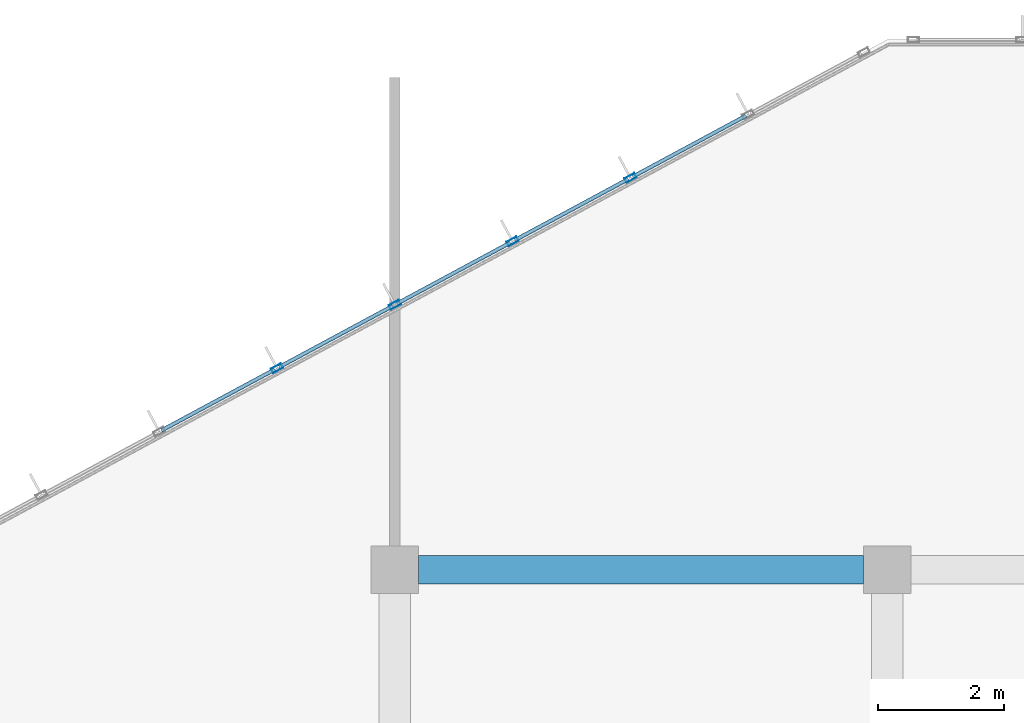
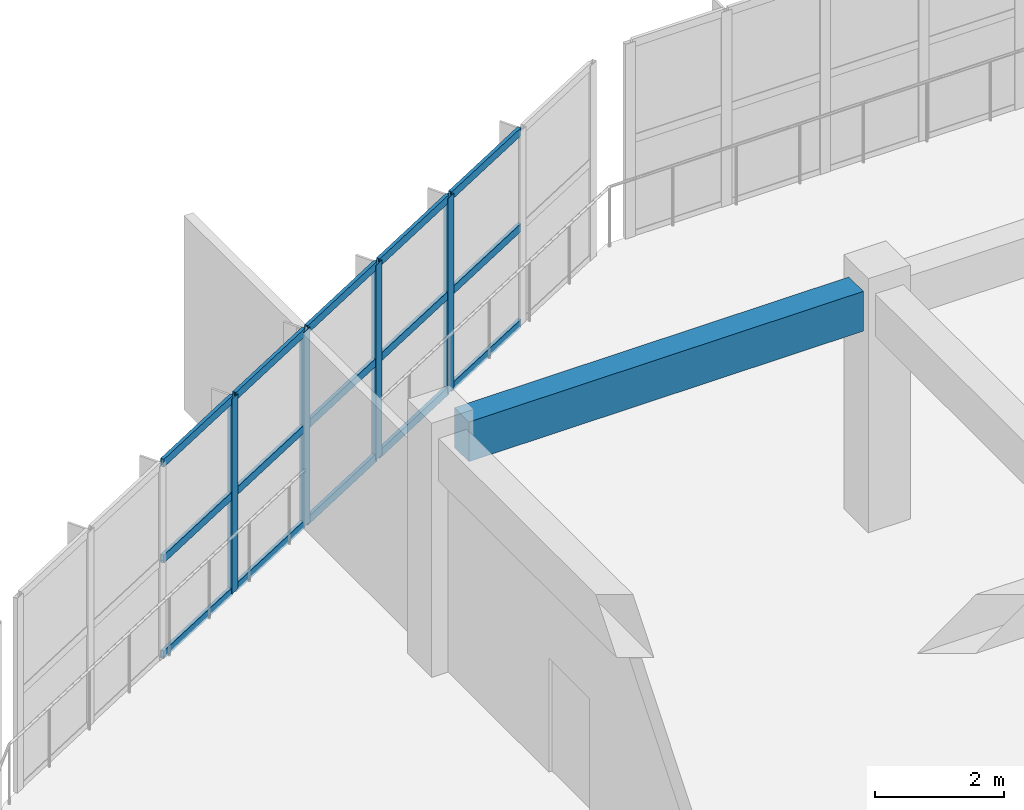
# One storey, part 59 of 175: 19 members, 1 beam, 1 element without a shape of its own.
"""IFC4 building model written with IfcOpenShell, lengths in metres."""

from ifc_helpers import new_model, si_unit, direction, frame, origin, origin_2d, place, context, subcontext, project, spatial, rectangle, hollow_rectangle, extrude, material, layer, layer_set, material_profile, profile_set, type_object, element, aggregate, save


model = new_model("IFC4")

# Units and contexts
model_context = context("Model", 3, precision=1e-05, world=origin(), true_north=direction((0.0, 1.0)))
body_context = subcontext(model_context, "Body", "Model", "MODEL_VIEW")
ifc_project = project(units=[si_unit("LENGTHUNIT", "METRE"), si_unit("AREAUNIT", "SQUARE_METRE"), si_unit("VOLUMEUNIT", "CUBIC_METRE"), si_unit("PLANEANGLEUNIT", "RADIAN"), si_unit("MASSUNIT", "GRAM", prefix="KILO")], contexts=[model_context])

# Site, building, storey
site_placement = place(None, origin())
site = spatial("IfcSite", under=ifc_project, at=site_placement, CompositionType="ELEMENT")
building_placement = place(site_placement, origin())
building = spatial("IfcBuilding", under=site, at=building_placement, Name="Zizhar Promenade General Hospital", CompositionType="ELEMENT")
storey_placement = place(building_placement, frame((0.0, 0.0, 4.800048828125)))
storey = spatial("IfcBuildingStorey", under=building, at=storey_placement, Name="L01", CompositionType="ELEMENT", Elevation=4.800048828125)

# Beam
ifc_material_1 = material(Name="Concrete C35/45", Category="concrete")
ifc_material_profile_1 = material_profile(ifc_material_1, rectangle(XDim=0.449951171875, YDim=0.75, at=origin_2d()))
ifc_profile_set_1 = profile_set([ifc_material_profile_1], Name="Concrete C35/45")
beam_type = type_object("IfcBeamType", Name="BM-RC-450x750", PredefinedType="BEAM", material=ifc_profile_set_1)
beam_placement = place(storey_placement, frame((23.77490234375, 75.60009765625, 4.094970703125), z_axis=(1.0, 0.0, 0.0), x_axis=(0.0, 1.0, 0.0)))
element("IfcBeam", 1, at=beam_placement, inside=storey, type_object=beam_type, Name="Grid Beam X L01 (3-9)", PredefinedType="BEAM", context=body_context, shape_type="SweptSolid", body=[
    extrude(rectangle(XDim=0.449951171875, YDim=0.75, at=origin_2d()), origin(), (0.0, 0.0, 1.0), 7.050048828125),
])

# Curtain wall, members
ifc_material_2 = material(Name="Anodised aluminium 6063-T6 and low-E glass", Category="aluminium")
ifc_layer = layer(ifc_material_2, 0.159912109375)
ifc_layer_set = layer_set([ifc_layer], Name="Anodised aluminium 6063-T6 and low-E glass")
curtain_wall_type = type_object("IfcCurtainWallType", Name="CW-DT-MOD2", PredefinedType="NOTDEFINED", material=ifc_layer_set)
curtain_wall_placement = place(storey_placement, origin())
curtain_wall = element("IfcCurtainWall", 2, at=curtain_wall_placement, inside=storey, type_object=curtain_wall_type, Name="West Diagnostic Arm Glazed Curtain Wall L01-NW3", PredefinedType="NOTDEFINED")
ifc_material_3 = material(Name="Anodised aluminium 6063-T6", Category="aluminium")
ifc_material_profile_2 = material_profile(ifc_material_3, hollow_rectangle(XDim=0.080078125, YDim=0.179931640625, WallThickness=0.0048828125, at=origin_2d()))
ifc_profile_set_2 = profile_set([ifc_material_profile_2], Name="Anodised aluminium 6063-T6")
member_type_1 = type_object("IfcMemberType", Name="CWM-ALU-180x80", PredefinedType="MULLION", material=ifc_profile_set_2)
member_1_placement = place(storey_placement, frame((21.53369140625, 78.795166015625, 0.0), z_axis=(0.0, 0.0, 1.0), x_axis=(-0.474097009774, 0.880472614749, 0.0)))
member_1 = element("IfcMember", 3, at=member_1_placement, type_object=member_type_1, Name="CW-08 mullion 4", PredefinedType="MULLION", context=body_context, shape_type="SweptSolid", body=[
    extrude(hollow_rectangle(XDim=0.080078125, YDim=0.179931640625, WallThickness=0.0048828125, at=origin_2d()), origin(), (0.0, 0.0, 1.0), 3.679931640625),
])
member_2_placement = place(storey_placement, frame((23.39990234375, 79.800048828125, 0.0), z_axis=(0.0, 0.0, 1.0), x_axis=(-0.474097009774, 0.880472614749, 0.0)))
member_2 = element("IfcMember", 4, at=member_2_placement, type_object=member_type_1, Name="CW-08 mullion 5", PredefinedType="MULLION", context=body_context, shape_type="SweptSolid", body=[
    extrude(hollow_rectangle(XDim=0.080078125, YDim=0.179931640625, WallThickness=0.0048828125, at=origin_2d()), origin(), (0.0, 0.0, 1.0), 3.679931640625),
])
member_3_placement = place(storey_placement, frame((25.266357421875, 80.804931640625, 0.0), z_axis=(0.0, 0.0, 1.0), x_axis=(-0.474097009774, 0.880472614749, 0.0)))
member_3 = element("IfcMember", 5, at=member_3_placement, type_object=member_type_1, Name="CW-08 mullion 6", PredefinedType="MULLION", context=body_context, shape_type="SweptSolid", body=[
    extrude(hollow_rectangle(XDim=0.080078125, YDim=0.179931640625, WallThickness=0.0048828125, at=origin_2d()), origin(), (0.0, 0.0, 1.0), 3.679931640625),
])
member_4_placement = place(storey_placement, frame((27.1328125, 81.809814453125, 0.0), z_axis=(0.0, 0.0, 1.0), x_axis=(-0.474097009774, 0.880472614749, 0.0)))
member_4 = element("IfcMember", 6, at=member_4_placement, type_object=member_type_1, Name="CW-08 mullion 7", PredefinedType="MULLION", context=body_context, shape_type="SweptSolid", body=[
    extrude(hollow_rectangle(XDim=0.080078125, YDim=0.179931640625, WallThickness=0.0048828125, at=origin_2d()), origin(), (0.0, 0.0, 1.0), 3.679931640625),
])
ifc_material_4 = material(Name="Anodised aluminium 6063-T6", Category="aluminium")
ifc_material_profile_3 = material_profile(ifc_material_4, hollow_rectangle(XDim=0.06005859375, YDim=0.14990234375, WallThickness=0.00390625, at=origin_2d()))
ifc_profile_set_3 = profile_set([ifc_material_profile_3], Name="Anodised aluminium 6063-T6")
member_type_2 = type_object("IfcMemberType", Name="CWT-ALU-150x60", PredefinedType="USERDEFINED", material=ifc_profile_set_3)
member_5_placement = place(storey_placement, frame((19.70263671875, 77.80908203125, 0.030029296875), z_axis=(0.880467256516, 0.47410696072, 0.0), x_axis=(-0.47410696072, 0.880467256516, 0.0)))
member_5 = element("IfcMember", 7, at=member_5_placement, type_object=member_type_2, Name="CW-08 transom 3.1", ObjectType="TRANSOM", PredefinedType="USERDEFINED", context=body_context, shape_type="SweptSolid", body=[
    extrude(hollow_rectangle(XDim=0.06005859375, YDim=0.14990234375, WallThickness=0.00390625, at=origin_2d()), origin(), (0.0, 0.0, 1.0), 2.039794921875),
])
member_6_placement = place(storey_placement, frame((19.70263671875, 77.80908203125, 1.83984375), z_axis=(0.880467256516, 0.47410696072, 0.0), x_axis=(-0.47410696072, 0.880467256516, 0.0)))
member_6 = element("IfcMember", 8, at=member_6_placement, type_object=member_type_2, Name="CW-08 transom 3.2", ObjectType="TRANSOM", PredefinedType="USERDEFINED", context=body_context, shape_type="SweptSolid", body=[
    extrude(hollow_rectangle(XDim=0.06005859375, YDim=0.14990234375, WallThickness=0.00390625, at=origin_2d()), origin(), (0.0, 0.0, 1.0), 2.039794921875),
])
member_7_placement = place(storey_placement, frame((19.70263671875, 77.80908203125, 3.64990234375), z_axis=(0.880467256516, 0.47410696072, 0.0), x_axis=(-0.47410696072, 0.880467256516, 0.0)))
member_7 = element("IfcMember", 9, at=member_7_placement, type_object=member_type_2, Name="CW-08 transom 3.3", ObjectType="TRANSOM", PredefinedType="USERDEFINED", context=body_context, shape_type="SweptSolid", body=[
    extrude(hollow_rectangle(XDim=0.06005859375, YDim=0.14990234375, WallThickness=0.00390625, at=origin_2d()), origin(), (0.0, 0.0, 1.0), 2.039794921875),
])
member_8_placement = place(storey_placement, frame((21.56884765625, 78.81396484375, 0.030029296875), z_axis=(0.880467256516, 0.47410696072, 0.0), x_axis=(-0.47410696072, 0.880467256516, 0.0)))
member_8 = element("IfcMember", 10, at=member_8_placement, type_object=member_type_2, Name="CW-08 transom 4.1", ObjectType="TRANSOM", PredefinedType="USERDEFINED", context=body_context, shape_type="SweptSolid", body=[
    extrude(hollow_rectangle(XDim=0.06005859375, YDim=0.14990234375, WallThickness=0.00390625, at=origin_2d()), origin(), (0.0, 0.0, 1.0), 2.039794921875),
])
member_9_placement = place(storey_placement, frame((21.56884765625, 78.81396484375, 1.83984375), z_axis=(0.880467256516, 0.47410696072, 0.0), x_axis=(-0.47410696072, 0.880467256516, 0.0)))
member_9 = element("IfcMember", 11, at=member_9_placement, type_object=member_type_2, Name="CW-08 transom 4.2", ObjectType="TRANSOM", PredefinedType="USERDEFINED", context=body_context, shape_type="SweptSolid", body=[
    extrude(hollow_rectangle(XDim=0.06005859375, YDim=0.14990234375, WallThickness=0.00390625, at=origin_2d()), origin(), (0.0, 0.0, 1.0), 2.039794921875),
])
member_10_placement = place(storey_placement, frame((21.56884765625, 78.81396484375, 3.64990234375), z_axis=(0.880467256516, 0.47410696072, 0.0), x_axis=(-0.47410696072, 0.880467256516, 0.0)))
member_10 = element("IfcMember", 12, at=member_10_placement, type_object=member_type_2, Name="CW-08 transom 4.3", ObjectType="TRANSOM", PredefinedType="USERDEFINED", context=body_context, shape_type="SweptSolid", body=[
    extrude(hollow_rectangle(XDim=0.06005859375, YDim=0.14990234375, WallThickness=0.00390625, at=origin_2d()), origin(), (0.0, 0.0, 1.0), 2.039794921875),
])
member_11_placement = place(storey_placement, frame((23.435302734375, 79.81884765625, 0.030029296875), z_axis=(0.880467256516, 0.47410696072, 0.0), x_axis=(-0.47410696072, 0.880467256516, 0.0)))
member_11 = element("IfcMember", 13, at=member_11_placement, type_object=member_type_2, Name="CW-08 transom 5.1", ObjectType="TRANSOM", PredefinedType="USERDEFINED", context=body_context, shape_type="SweptSolid", body=[
    extrude(hollow_rectangle(XDim=0.06005859375, YDim=0.14990234375, WallThickness=0.00390625, at=origin_2d()), origin(), (0.0, 0.0, 1.0), 2.039794921875),
])
member_12_placement = place(storey_placement, frame((23.435302734375, 79.81884765625, 1.83984375), z_axis=(0.880467256516, 0.47410696072, 0.0), x_axis=(-0.47410696072, 0.880467256516, 0.0)))
member_12 = element("IfcMember", 14, at=member_12_placement, type_object=member_type_2, Name="CW-08 transom 5.2", ObjectType="TRANSOM", PredefinedType="USERDEFINED", context=body_context, shape_type="SweptSolid", body=[
    extrude(hollow_rectangle(XDim=0.06005859375, YDim=0.14990234375, WallThickness=0.00390625, at=origin_2d()), origin(), (0.0, 0.0, 1.0), 2.039794921875),
])
member_13_placement = place(storey_placement, frame((23.435302734375, 79.81884765625, 3.64990234375), z_axis=(0.880467256516, 0.47410696072, 0.0), x_axis=(-0.47410696072, 0.880467256516, 0.0)))
member_13 = element("IfcMember", 15, at=member_13_placement, type_object=member_type_2, Name="CW-08 transom 5.3", ObjectType="TRANSOM", PredefinedType="USERDEFINED", context=body_context, shape_type="SweptSolid", body=[
    extrude(hollow_rectangle(XDim=0.06005859375, YDim=0.14990234375, WallThickness=0.00390625, at=origin_2d()), origin(), (0.0, 0.0, 1.0), 2.039794921875),
])
member_14_placement = place(storey_placement, frame((25.301513671875, 80.823974609375, 0.030029296875), z_axis=(0.880467256516, 0.47410696072, 0.0), x_axis=(-0.47410696072, 0.880467256516, 0.0)))
member_14 = element("IfcMember", 16, at=member_14_placement, type_object=member_type_2, Name="CW-08 transom 6.1", ObjectType="TRANSOM", PredefinedType="USERDEFINED", context=body_context, shape_type="SweptSolid", body=[
    extrude(hollow_rectangle(XDim=0.06005859375, YDim=0.14990234375, WallThickness=0.00390625, at=origin_2d()), origin(), (0.0, 0.0, 1.0), 2.039794921875),
])
member_15_placement = place(storey_placement, frame((25.301513671875, 80.823974609375, 1.83984375), z_axis=(0.880467256516, 0.47410696072, 0.0), x_axis=(-0.47410696072, 0.880467256516, 0.0)))
member_15 = element("IfcMember", 17, at=member_15_placement, type_object=member_type_2, Name="CW-08 transom 6.2", ObjectType="TRANSOM", PredefinedType="USERDEFINED", context=body_context, shape_type="SweptSolid", body=[
    extrude(hollow_rectangle(XDim=0.06005859375, YDim=0.14990234375, WallThickness=0.00390625, at=origin_2d()), origin(), (0.0, 0.0, 1.0), 2.039794921875),
])
member_16_placement = place(storey_placement, frame((25.301513671875, 80.823974609375, 3.64990234375), z_axis=(0.880467256516, 0.47410696072, 0.0), x_axis=(-0.47410696072, 0.880467256516, 0.0)))
member_16 = element("IfcMember", 18, at=member_16_placement, type_object=member_type_2, Name="CW-08 transom 6.3", ObjectType="TRANSOM", PredefinedType="USERDEFINED", context=body_context, shape_type="SweptSolid", body=[
    extrude(hollow_rectangle(XDim=0.06005859375, YDim=0.14990234375, WallThickness=0.00390625, at=origin_2d()), origin(), (0.0, 0.0, 1.0), 2.039794921875),
])
member_17_placement = place(storey_placement, frame((27.16796875, 81.828857421875, 0.030029296875), z_axis=(0.880467256516, 0.47410696072, 0.0), x_axis=(-0.47410696072, 0.880467256516, 0.0)))
member_17 = element("IfcMember", 19, at=member_17_placement, type_object=member_type_2, Name="CW-08 transom 7.1", ObjectType="TRANSOM", PredefinedType="USERDEFINED", context=body_context, shape_type="SweptSolid", body=[
    extrude(hollow_rectangle(XDim=0.06005859375, YDim=0.14990234375, WallThickness=0.00390625, at=origin_2d()), origin(), (0.0, 0.0, 1.0), 2.039794921875),
])
member_18_placement = place(storey_placement, frame((27.16796875, 81.828857421875, 1.83984375), z_axis=(0.880467256516, 0.47410696072, 0.0), x_axis=(-0.47410696072, 0.880467256516, 0.0)))
member_18 = element("IfcMember", 20, at=member_18_placement, type_object=member_type_2, Name="CW-08 transom 7.2", ObjectType="TRANSOM", PredefinedType="USERDEFINED", context=body_context, shape_type="SweptSolid", body=[
    extrude(hollow_rectangle(XDim=0.06005859375, YDim=0.14990234375, WallThickness=0.00390625, at=origin_2d()), origin(), (0.0, 0.0, 1.0), 2.039794921875),
])
member_19_placement = place(storey_placement, frame((27.16796875, 81.828857421875, 3.64990234375), z_axis=(0.880467256516, 0.47410696072, 0.0), x_axis=(-0.47410696072, 0.880467256516, 0.0)))
member_19 = element("IfcMember", 21, at=member_19_placement, type_object=member_type_2, Name="CW-08 transom 7.3", ObjectType="TRANSOM", PredefinedType="USERDEFINED", context=body_context, shape_type="SweptSolid", body=[
    extrude(hollow_rectangle(XDim=0.06005859375, YDim=0.14990234375, WallThickness=0.00390625, at=origin_2d()), origin(), (0.0, 0.0, 1.0), 2.039794921875),
])
aggregate(curtain_wall, [member_1, member_2, member_3, member_4, member_5, member_6, member_7, member_8, member_9, member_10, member_11, member_12, member_13, member_14, member_15, member_16, member_17, member_18, member_19])

save(model, "model.ifc")
